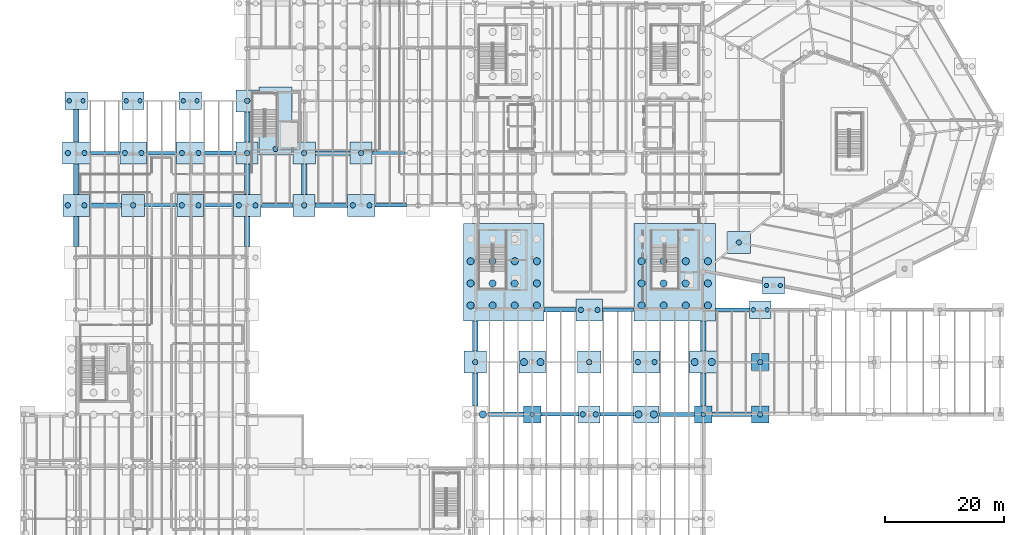
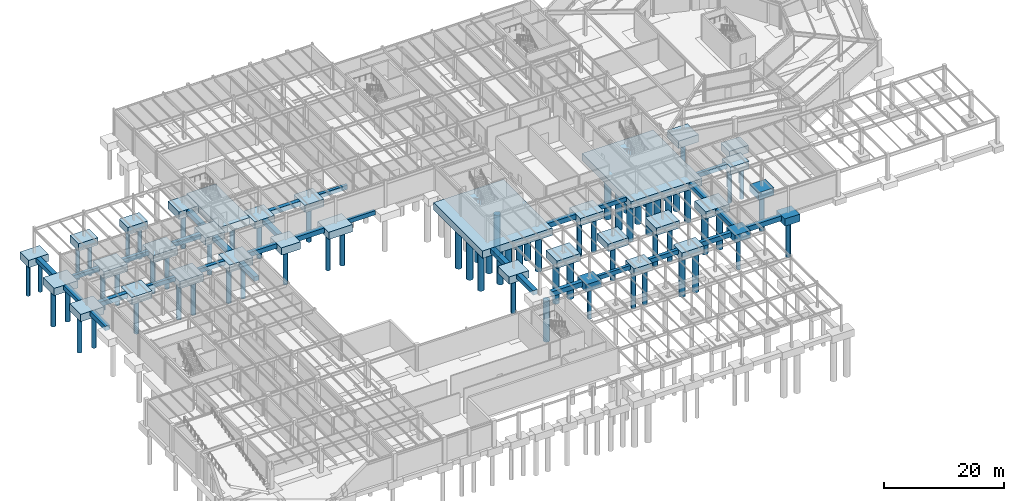
# One storey, part 3 of 48: 75 piles, 64 footings.
"""IFC4 building model written with IfcOpenShell, lengths in metres."""

from ifc_helpers import new_model, si_unit, direction, frame, origin, origin_2d, place, context, subcontext, project, spatial, rectangle, circle, extrude, material, material_profile, profile_set, type_object, element, save


model = new_model("IFC4")

# Units and contexts
model_context = context("Model", 3, precision=1e-05, world=origin(), true_north=direction((0.0, 1.0)))
body_context = subcontext(model_context, "Body", "Model", "MODEL_VIEW")
ifc_project = project(units=[si_unit("LENGTHUNIT", "METRE"), si_unit("AREAUNIT", "SQUARE_METRE"), si_unit("VOLUMEUNIT", "CUBIC_METRE"), si_unit("PLANEANGLEUNIT", "RADIAN"), si_unit("MASSUNIT", "GRAM", prefix="KILO")], contexts=[model_context])

# Site, building, storey
site_placement = place(None, origin())
site = spatial("IfcSite", under=ifc_project, at=site_placement, CompositionType="ELEMENT")
building_placement = place(site_placement, origin())
building = spatial("IfcBuilding", under=site, at=building_placement, Name="Sarnbrook Museum", CompositionType="ELEMENT")
storey_placement = place(building_placement, frame((0.0, 0.0, -5.39990234375)))
storey = spatial("IfcBuildingStorey", under=building, at=storey_placement, Name="B1", CompositionType="ELEMENT", Elevation=-5.39990234375)

# Piles
ifc_material_1 = material(Name="Concrete N50 (AS 3600, f'c = 50 MPa)", Category="concrete")
ifc_material_profile_1 = material_profile(ifc_material_1, circle(Radius=0.375, at=origin_2d()), Name="BORED PILE D750")
ifc_profile_set_1 = profile_set([ifc_material_profile_1], Name="Concrete N50 (AS 3600, f'c = 50 MPa)")
pile_type_1 = type_object("IfcPileType", Name="BoredPile_P1", PredefinedType="BORED", material=ifc_profile_set_1)
for number, where, z_axis, x_axis, name in (
    (1, (12.4375, 92.0, -1.400146484375), (0.0, 0.0, -1.0), (1.0, 0.0, 0.0), "Bored Pile P1-0036"),
    (2, (14.762451171875, 92.0, -1.400146484375), (0.0, 0.0, -1.0), (1.0, 0.0, 0.0), "Bored Pile P1-0037"),
    (3, (22.03759765625, 92.0, -1.400146484375), (0.0, 0.0, -1.0), (1.0, 0.0, 0.0), "Bored Pile P1-0049"),
    (4, (24.362548828125, 92.0, -1.400146484375), (0.0, 0.0, -1.0), (1.0, 0.0, 0.0), "Bored Pile P1-0050"),
    (5, (31.637451171875, 92.0, -1.400146484375), (0.0, 0.0, -1.0), (1.0, 0.0, 0.0), "Bored Pile P1-0066"),
    (6, (33.96240234375, 92.0, -1.400146484375), (0.0, 0.0, -1.0), (1.0, 0.0, 0.0), "Bored Pile P1-0067"),
    (7, (90.39990234375, 39.199951171875, -1.400146484375), (0.0, 0.0, -1.0), (1.0, 0.0, 0.0), "Bored Pile P1-0205"),
    (8, (119.199951171875, 39.199951171875, -1.400146484375), (0.0, 0.0, -1.0), (1.0, 0.0, 0.0), "Bored Pile P1-0281"),
    (9, (127.637451171875, 56.800048828125, -1.400146484375), (0.0, 0.0, -1.0), (1.0, 0.0, 0.0), "Bored Pile P1-0289"),
    (10, (129.96240234375, 56.800048828125, -1.400146484375), (0.0, 0.0, -1.0), (1.0, 0.0, 0.0), "Bored Pile P1-0290"),
    (11, (129.83740234375, 60.89990234375, -1.400146484375), (0.0, 0.0, -1.0), (1.0, 0.0, 0.0), "Bored Pile P1-0291"),
    (12, (132.16259765625, 60.89990234375, -1.400146484375), (0.0, 0.0, -1.0), (1.0, 0.0, 0.0), "Bored Pile P1-0292"),
):
    element("IfcPile", number, at=place(storey_placement, frame(where, z_axis=z_axis, x_axis=x_axis)), inside=storey, type_object=pile_type_1, Name=name, PredefinedType="BORED", context=body_context, shape_type="SweptSolid", body=[
        extrude(circle(Radius=0.375, at=origin_2d()), origin(), (0.0, 0.0, 1.0), 6.800048828125),
    ])
ifc_material_profile_2 = material_profile(ifc_material_1, circle(Radius=0.449951171875, at=origin_2d()), Name="BORED PILE D900")
ifc_profile_set_2 = profile_set([ifc_material_profile_2], Name="Concrete N50 (AS 3600, f'c = 50 MPa)")
pile_type_2 = type_object("IfcPileType", Name="BoredPile_P2", PredefinedType="BORED", material=ifc_profile_set_2)
for number, where, z_axis, x_axis, name in (
    (13, (12.205078125, 74.39990234375, -1.400146484375), (0.0, 0.0, -1.0), (1.0, 0.0, 0.0), "Bored Pile P2-0026"),
    (14, (14.9951171875, 74.39990234375, -1.400146484375), (0.0, 0.0, -1.0), (1.0, 0.0, 0.0), "Bored Pile P2-0027"),
    (15, (12.205078125, 83.199951171875, -1.400146484375), (0.0, 0.0, -1.0), (1.0, 0.0, 0.0), "Bored Pile P2-0028"),
    (16, (14.9951171875, 83.199951171875, -1.400146484375), (0.0, 0.0, -1.0), (1.0, 0.0, 0.0), "Bored Pile P2-0029"),
    (17, (23.199951171875, 74.39990234375, -1.400146484375), (0.0, 0.0, -1.0), (1.0, 0.0, 0.0), "Bored Pile P2-0040"),
    (18, (21.804931640625, 83.199951171875, -1.400146484375), (0.0, 0.0, -1.0), (1.0, 0.0, 0.0), "Bored Pile P2-0041"),
    (19, (24.594970703125, 83.199951171875, -1.400146484375), (0.0, 0.0, -1.0), (1.0, 0.0, 0.0), "Bored Pile P2-0042"),
    (20, (31.405029296875, 74.39990234375, -1.400146484375), (0.0, 0.0, -1.0), (1.0, 0.0, 0.0), "Bored Pile P2-0056"),
    (21, (34.195068359375, 74.39990234375, -1.400146484375), (0.0, 0.0, -1.0), (1.0, 0.0, 0.0), "Bored Pile P2-0057"),
    (22, (31.405029296875, 83.199951171875, -1.400146484375), (0.0, 0.0, -1.0), (1.0, 0.0, 0.0), "Bored Pile P2-0058"),
    (23, (34.195068359375, 83.199951171875, -1.400146484375), (0.0, 0.0, -1.0), (1.0, 0.0, 0.0), "Bored Pile P2-0059"),
    (24, (41.0048828125, 74.39990234375, -1.400146484375), (0.0, 0.0, -1.0), (1.0, 0.0, 0.0), "Bored Pile P2-0073"),
    (25, (43.794921875, 74.39990234375, -1.400146484375), (0.0, 0.0, -1.0), (1.0, 0.0, 0.0), "Bored Pile P2-0074"),
    (26, (42.39990234375, 83.199951171875, -1.400146484375), (0.0, 0.0, -1.0), (1.0, 0.0, 0.0), "Bored Pile P2-0075"),
    (27, (42.39990234375, 92.0, -1.400146484375), (0.0, 0.0, -1.0), (1.0, 0.0, 0.0), "Bored Pile P2-0076"),
    (28, (52.0, 74.39990234375, -1.400146484375), (0.0, 0.0, -1.0), (1.0, 0.0, 0.0), "Bored Pile P2-0090"),
    (29, (52.0, 83.199951171875, -1.400146484375), (0.0, 0.0, -1.0), (1.0, 0.0, 0.0), "Bored Pile P2-0091"),
    (30, (60.205078125, 74.39990234375, -1.400146484375), (0.0, 0.0, -1.0), (1.0, 0.0, 0.0), "Bored Pile P2-0117"),
    (31, (62.9951171875, 74.39990234375, -1.400146484375), (0.0, 0.0, -1.0), (1.0, 0.0, 0.0), "Bored Pile P2-0118"),
    (32, (61.60009765625, 83.199951171875, -1.400146484375), (0.0, 0.0, -1.0), (1.0, 0.0, 0.0), "Bored Pile P2-0119"),
    (33, (80.800048828125, 48.0, -1.400146484375), (0.0, 0.0, -1.0), (1.0, 0.0, 0.0), "Bored Pile P2-0144"),
    (34, (100.0, 48.0, -1.400146484375), (0.0, 0.0, -1.0), (1.0, 0.0, 0.0), "Bored Pile P2-0206"),
    (35, (98.60498046875, 56.800048828125, -1.400146484375), (0.0, 0.0, -1.0), (1.0, 0.0, 0.0), "Bored Pile P2-0207"),
    (36, (101.39501953125, 56.800048828125, -1.400146484375), (0.0, 0.0, -1.0), (1.0, 0.0, 0.0), "Bored Pile P2-0208"),
    (37, (98.909912109375, 39.199951171875, -1.400146484375), (0.0, 0.0, -1.0), (1.0, 0.0, 0.0), "Bored Pile P2-0220"),
    (38, (101.090087890625, 39.199951171875, -1.400146484375), (0.0, 0.0, -1.0), (1.0, 0.0, 0.0), "Bored Pile P2-0221"),
    (39, (108.205078125, 48.0, -1.400146484375), (0.0, 0.0, -1.0), (1.0, 0.0, 0.0), "Bored Pile P2-0222"),
    (40, (110.9951171875, 48.0, -1.400146484375), (0.0, 0.0, -1.0), (1.0, 0.0, 0.0), "Bored Pile P2-0223"),
    (41, (125.199951171875, 68.14306640625, -1.400146484375), (0.0, 0.0, -1.0), (1.0, 0.0, 0.0), "Bored Pile P2-0282"),
    (42, (128.800048828125, 39.199951171875, -1.400146484375), (0.0, 0.0, -1.0), (1.0, 0.0, 0.0), "Bored Pile P2-0287"),
    (43, (128.800048828125, 48.0, -1.400146484375), (0.0, 0.0, -1.0), (1.0, 0.0, 0.0), "Bored Pile P2-0288"),
    (44, (47.175048828125, 83.89990234375, -1.400146484375), (0.0, 0.0, -1.0), (1.0, 0.0, 0.0), "Bored Pile P2-0326"),
):
    element("IfcPile", number, at=place(storey_placement, frame(where, z_axis=z_axis, x_axis=x_axis)), inside=storey, type_object=pile_type_2, Name=name, PredefinedType="BORED", context=body_context, shape_type="SweptSolid", body=[
        extrude(circle(Radius=0.449951171875, at=origin_2d()), origin(), (0.0, 0.0, 1.0), 7.60009765625),
    ])
ifc_material_profile_3 = material_profile(ifc_material_1, circle(Radius=0.60009765625, at=origin_2d()), Name="BORED PILE D1200")
ifc_profile_set_3 = profile_set([ifc_material_profile_3], Name="Concrete N50 (AS 3600, f'c = 50 MPa)")
pile_type_3 = type_object("IfcPileType", Name="BoredPile_P3", PredefinedType="BORED", material=ifc_profile_set_3)
for number, where, z_axis, x_axis, name in (
    (45, (80.02001953125, 57.544921875, -1.400146484375), (0.0, 0.0, -1.0), (1.0, 0.0, 0.0), "Bored Pile P3-0145"),
    (46, (80.02001953125, 61.264892578125, -1.400146484375), (0.0, 0.0, -1.0), (1.0, 0.0, 0.0), "Bored Pile P3-0146"),
    (47, (80.02001953125, 64.985107421875, -1.400146484375), (0.0, 0.0, -1.0), (1.0, 0.0, 0.0), "Bored Pile P3-0147"),
    (48, (83.739990234375, 57.544921875, -1.400146484375), (0.0, 0.0, -1.0), (1.0, 0.0, 0.0), "Bored Pile P3-0149"),
    (49, (83.739990234375, 61.264892578125, -1.400146484375), (0.0, 0.0, -1.0), (1.0, 0.0, 0.0), "Bored Pile P3-0150"),
    (50, (83.739990234375, 64.985107421875, -1.400146484375), (0.0, 0.0, -1.0), (1.0, 0.0, 0.0), "Bored Pile P3-0151"),
    (51, (87.4599609375, 57.544921875, -1.400146484375), (0.0, 0.0, -1.0), (1.0, 0.0, 0.0), "Bored Pile P3-0153"),
    (52, (87.4599609375, 61.264892578125, -1.400146484375), (0.0, 0.0, -1.0), (1.0, 0.0, 0.0), "Bored Pile P3-0154"),
    (53, (87.4599609375, 64.985107421875, -1.400146484375), (0.0, 0.0, -1.0), (1.0, 0.0, 0.0), "Bored Pile P3-0155"),
    (54, (91.179931640625, 57.544921875, -1.400146484375), (0.0, 0.0, -1.0), (1.0, 0.0, 0.0), "Bored Pile P3-0157"),
    (55, (91.179931640625, 61.264892578125, -1.400146484375), (0.0, 0.0, -1.0), (1.0, 0.0, 0.0), "Bored Pile P3-0158"),
    (56, (91.179931640625, 64.985107421875, -1.400146484375), (0.0, 0.0, -1.0), (1.0, 0.0, 0.0), "Bored Pile P3-0159"),
    (57, (82.090087890625, 39.199951171875, -1.400146484375), (0.0, 0.0, -1.0), (1.0, 0.0, 0.0), "Bored Pile P3-0191"),
    (58, (89.010009765625, 48.0, -1.400146484375), (0.0, 0.0, -1.0), (1.0, 0.0, 0.0), "Bored Pile P3-0192"),
    (59, (91.7900390625, 48.0, -1.400146484375), (0.0, 0.0, -1.0), (1.0, 0.0, 0.0), "Bored Pile P3-0193"),
    (60, (108.820068359375, 57.544921875, -1.400146484375), (0.0, 0.0, -1.0), (1.0, 0.0, 0.0), "Bored Pile P3-0224"),
    (61, (108.820068359375, 61.264892578125, -1.400146484375), (0.0, 0.0, -1.0), (1.0, 0.0, 0.0), "Bored Pile P3-0225"),
    (62, (108.820068359375, 64.985107421875, -1.400146484375), (0.0, 0.0, -1.0), (1.0, 0.0, 0.0), "Bored Pile P3-0226"),
    (63, (112.5400390625, 57.544921875, -1.400146484375), (0.0, 0.0, -1.0), (1.0, 0.0, 0.0), "Bored Pile P3-0228"),
    (64, (112.5400390625, 61.264892578125, -1.400146484375), (0.0, 0.0, -1.0), (1.0, 0.0, 0.0), "Bored Pile P3-0229"),
    (65, (112.5400390625, 64.985107421875, -1.400146484375), (0.0, 0.0, -1.0), (1.0, 0.0, 0.0), "Bored Pile P3-0230"),
    (66, (116.260009765625, 57.544921875, -1.400146484375), (0.0, 0.0, -1.0), (1.0, 0.0, 0.0), "Bored Pile P3-0232"),
    (67, (116.260009765625, 61.264892578125, -1.400146484375), (0.0, 0.0, -1.0), (1.0, 0.0, 0.0), "Bored Pile P3-0233"),
    (68, (116.260009765625, 64.985107421875, -1.400146484375), (0.0, 0.0, -1.0), (1.0, 0.0, 0.0), "Bored Pile P3-0234"),
    (69, (119.97998046875, 57.544921875, -1.400146484375), (0.0, 0.0, -1.0), (1.0, 0.0, 0.0), "Bored Pile P3-0236"),
    (70, (119.97998046875, 61.264892578125, -1.400146484375), (0.0, 0.0, -1.0), (1.0, 0.0, 0.0), "Bored Pile P3-0237"),
    (71, (119.97998046875, 64.985107421875, -1.400146484375), (0.0, 0.0, -1.0), (1.0, 0.0, 0.0), "Bored Pile P3-0238"),
    (72, (108.31005859375, 39.199951171875, -1.400146484375), (0.0, 0.0, -1.0), (1.0, 0.0, 0.0), "Bored Pile P3-0268"),
    (73, (110.889892578125, 39.199951171875, -1.400146484375), (0.0, 0.0, -1.0), (1.0, 0.0, 0.0), "Bored Pile P3-0269"),
    (74, (117.760009765625, 48.0, -1.400146484375), (0.0, 0.0, -1.0), (1.0, 0.0, 0.0), "Bored Pile P3-0270"),
    (75, (120.639892578125, 48.0, -1.400146484375), (0.0, 0.0, -1.0), (1.0, 0.0, 0.0), "Bored Pile P3-0271"),
):
    element("IfcPile", number, at=place(storey_placement, frame(where, z_axis=z_axis, x_axis=x_axis)), inside=storey, type_object=pile_type_3, Name=name, PredefinedType="BORED", context=body_context, shape_type="SweptSolid", body=[
        extrude(circle(Radius=0.60009765625, at=origin_2d()), origin(), (0.0, 0.0, 1.0), 8.39990234375),
    ])

# Footings
ifc_material_2 = material(Name="Concrete N40 (AS 3600, f'c = 40 MPa)", Category="concrete")
footing_type_1 = type_object("IfcFootingType", Name="GroundBeam_GB1", PredefinedType="FOOTING_BEAM", material=ifc_material_2)
footing_1_placement = place(storey_placement, frame((95.050048828125, 39.199951171875, -0.85009765625), z_axis=(0.0, 0.0, 1.0), x_axis=(1.0, 0.0, 0.0)))
element("IfcFooting", 76, at=footing_1_placement, inside=storey, type_object=footing_type_1, Name="Ground Tie Beam GB-005", PredefinedType="FOOTING_BEAM", context=body_context, shape_type="SweptSolid", body=[
    extrude(rectangle(XDim=6.300048828125, YDim=0.550048828125, at=origin_2d()), origin(), (0.0, 0.0, 1.0), 0.85009765625),
])
footing_2_placement = place(storey_placement, frame((104.89990234375, 56.800048828125, -0.85009765625), z_axis=(0.0, 0.0, 1.0), x_axis=(1.0, 0.0, 0.0)))
element("IfcFooting", 77, at=footing_2_placement, inside=storey, type_object=footing_type_1, Name="Ground Tie Beam GB-017", PredefinedType="FOOTING_BEAM", context=body_context, shape_type="SweptSolid", body=[
    extrude(rectangle(XDim=5.300048828125, YDim=0.550048828125, at=origin_2d()), origin(), (0.0, 0.0, 1.0), 0.85009765625),
])
footing_3_placement = place(storey_placement, frame((27.85009765625, 74.39990234375, -0.85009765625), z_axis=(0.0, 0.0, 1.0), x_axis=(1.0, 0.0, 0.0)))
element("IfcFooting", 78, at=footing_3_placement, inside=storey, type_object=footing_type_1, Name="Ground Tie Beam GB-025", PredefinedType="FOOTING_BEAM", context=body_context, shape_type="SweptSolid", body=[
    extrude(rectangle(XDim=5.39990234375, YDim=0.550048828125, at=origin_2d()), origin(), (0.0, 0.0, 1.0), 0.85009765625),
])
footing_4_placement = place(storey_placement, frame((66.574951171875, 74.39990234375, -0.85009765625), z_axis=(0.0, 0.0, 1.0), x_axis=(1.0, 0.0, 0.0)))
element("IfcFooting", 79, at=footing_4_placement, inside=storey, type_object=footing_type_1, Name="Ground Tie Beam GB-029", PredefinedType="FOOTING_BEAM", context=body_context, shape_type="SweptSolid", body=[
    extrude(rectangle(XDim=5.35009765625, YDim=0.550048828125, at=origin_2d()), origin(), (0.0, 0.0, 1.0), 0.85009765625),
])
footing_5_placement = place(storey_placement, frame((18.425048828125, 83.199951171875, -0.85009765625), z_axis=(0.0, 0.0, 1.0), x_axis=(1.0, 0.0, 0.0)))
element("IfcFooting", 80, at=footing_5_placement, inside=storey, type_object=footing_type_1, Name="Ground Tie Beam GB-037", PredefinedType="FOOTING_BEAM", context=body_context, shape_type="SweptSolid", body=[
    extrude(rectangle(XDim=5.050048828125, YDim=0.550048828125, at=origin_2d()), origin(), (0.0, 0.0, 1.0), 0.85009765625),
])
footing_6_placement = place(storey_placement, frame((66.199951171875, 83.199951171875, -0.85009765625), z_axis=(0.0, 0.0, 1.0), x_axis=(1.0, 0.0, 0.0)))
element("IfcFooting", 81, at=footing_6_placement, inside=storey, type_object=footing_type_1, Name="Ground Tie Beam GB-041", PredefinedType="FOOTING_BEAM", context=body_context, shape_type="SweptSolid", body=[
    extrude(rectangle(XDim=5.5, YDim=0.550048828125, at=origin_2d()), origin(), (0.0, 0.0, 1.0), 0.85009765625),
])
footing_type_2 = type_object("IfcFootingType", Name="GroundBeam_GB2", PredefinedType="FOOTING_BEAM", material=ifc_material_2)
footing_7_placement = place(storey_placement, frame((104.625, 39.199951171875, -0.900146484375), z_axis=(0.0, 0.0, 1.0), x_axis=(1.0, 0.0, 0.0)))
element("IfcFooting", 82, at=footing_7_placement, inside=storey, type_object=footing_type_2, Name="Ground Tie Beam GB-006", PredefinedType="FOOTING_BEAM", context=body_context, shape_type="SweptSolid", body=[
    extrude(rectangle(XDim=5.64990234375, YDim=0.60009765625, at=origin_2d()), origin(), (0.0, 0.0, 1.0), 0.89990234375),
])
footing_8_placement = place(storey_placement, frame((124.125, 56.800048828125, -0.900146484375), z_axis=(0.0, 0.0, 1.0), x_axis=(1.0, 0.0, 0.0)))
element("IfcFooting", 83, at=footing_8_placement, inside=storey, type_object=footing_type_2, Name="Ground Tie Beam GB-018", PredefinedType="FOOTING_BEAM", context=body_context, shape_type="SweptSolid", body=[
    extrude(rectangle(XDim=5.75, YDim=0.60009765625, at=origin_2d()), origin(), (0.0, 0.0, 1.0), 0.89990234375),
])
for number, where, z_axis, x_axis, name in (
    (84, (37.574951171875, 74.39990234375, -0.900146484375), (0.0, 0.0, 1.0), (1.0, 0.0, 0.0), "Ground Tie Beam GB-026"),
    (85, (27.97509765625, 83.199951171875, -0.900146484375), (0.0, 0.0, 1.0), (1.0, 0.0, 0.0), "Ground Tie Beam GB-038"),
):
    element("IfcFooting", number, at=place(storey_placement, frame(where, z_axis=z_axis, x_axis=x_axis)), inside=storey, type_object=footing_type_2, Name=name, PredefinedType="FOOTING_BEAM", context=body_context, shape_type="SweptSolid", body=[
        extrude(rectangle(XDim=5.050048828125, YDim=0.60009765625, at=origin_2d()), origin(), (0.0, 0.0, 1.0), 0.89990234375),
    ])
footing_type_3 = type_object("IfcFootingType", Name="GroundBeam_GB3", PredefinedType="FOOTING_BEAM", material=ifc_material_2)
footing_9_placement = place(storey_placement, frame((114.72509765625, 39.199951171875, -0.9501953125), z_axis=(0.0, 0.0, 1.0), x_axis=(1.0, 0.0, 0.0)))
element("IfcFooting", 86, at=footing_9_placement, inside=storey, type_object=footing_type_3, Name="Ground Tie Beam GB-007", PredefinedType="FOOTING_BEAM", context=body_context, shape_type="SweptSolid", body=[
    extrude(rectangle(XDim=5.949951171875, YDim=0.699951171875, at=origin_2d()), origin(), (0.0, 0.0, 1.0), 0.949951171875),
])
for number, where, z_axis, x_axis, name in (
    (87, (47.425048828125, 74.39990234375, -0.9501953125), (0.0, 0.0, 1.0), (1.0, 0.0, 0.0), "Ground Tie Beam GB-027"),
    (88, (37.824951171875, 83.199951171875, -0.9501953125), (0.0, 0.0, 1.0), (1.0, 0.0, 0.0), "Ground Tie Beam GB-039"),
):
    element("IfcFooting", number, at=place(storey_placement, frame(where, z_axis=z_axis, x_axis=x_axis)), inside=storey, type_object=footing_type_3, Name=name, PredefinedType="FOOTING_BEAM", context=body_context, shape_type="SweptSolid", body=[
        extrude(rectangle(XDim=5.449951171875, YDim=0.699951171875, at=origin_2d()), origin(), (0.0, 0.0, 1.0), 0.949951171875),
    ])
footing_type_4 = type_object("IfcFootingType", Name="GroundBeam_GB4", PredefinedType="FOOTING_BEAM", material=ifc_material_2)
footing_10_placement = place(storey_placement, frame((85.925048828125, 39.199951171875, -1.0), z_axis=(0.0, 0.0, 1.0), x_axis=(1.0, 0.0, 0.0)))
element("IfcFooting", 89, at=footing_10_placement, inside=storey, type_object=footing_type_4, Name="Ground Tie Beam GB-004", PredefinedType="FOOTING_BEAM", context=body_context, shape_type="SweptSolid", body=[
    extrude(rectangle(XDim=5.949951171875, YDim=0.75, at=origin_2d()), origin(), (0.0, 0.0, 1.0), 1.0),
])
footing_11_placement = place(storey_placement, frame((124.02490234375, 39.199951171875, -1.0), z_axis=(0.0, 0.0, 1.0), x_axis=(1.0, 0.0, 0.0)))
element("IfcFooting", 90, at=footing_11_placement, inside=storey, type_object=footing_type_4, Name="Ground Tie Beam GB-008", PredefinedType="FOOTING_BEAM", context=body_context, shape_type="SweptSolid", body=[
    extrude(rectangle(XDim=6.64990234375, YDim=0.75, at=origin_2d()), origin(), (0.0, 0.0, 1.0), 1.0),
])
for number, where, z_axis, x_axis, name in (
    (91, (95.050048828125, 56.800048828125, -1.0), (0.0, 0.0, 1.0), (1.0, 0.0, 0.0), "Ground Tie Beam GB-016"),
    (92, (18.550048828125, 74.39990234375, -1.0), (0.0, 0.0, 1.0), (1.0, 0.0, 0.0), "Ground Tie Beam GB-024"),
):
    element("IfcFooting", number, at=place(storey_placement, frame(where, z_axis=z_axis, x_axis=x_axis)), inside=storey, type_object=footing_type_4, Name=name, PredefinedType="FOOTING_BEAM", context=body_context, shape_type="SweptSolid", body=[
        extrude(rectangle(XDim=5.39990234375, YDim=0.75, at=origin_2d()), origin(), (0.0, 0.0, 1.0), 1.0),
    ])
footing_12_placement = place(storey_placement, frame((56.574951171875, 74.39990234375, -1.0), z_axis=(0.0, 0.0, 1.0), x_axis=(1.0, 0.0, 0.0)))
element("IfcFooting", 93, at=footing_12_placement, inside=storey, type_object=footing_type_4, Name="Ground Tie Beam GB-028", PredefinedType="FOOTING_BEAM", context=body_context, shape_type="SweptSolid", body=[
    extrude(rectangle(XDim=5.449951171875, YDim=0.75, at=origin_2d()), origin(), (0.0, 0.0, 1.0), 1.0),
])
footing_13_placement = place(storey_placement, frame((56.824951171875, 83.199951171875, -1.0), z_axis=(0.0, 0.0, 1.0), x_axis=(1.0, 0.0, 0.0)))
element("IfcFooting", 94, at=footing_13_placement, inside=storey, type_object=footing_type_4, Name="Ground Tie Beam GB-040", PredefinedType="FOOTING_BEAM", context=body_context, shape_type="SweptSolid", body=[
    extrude(rectangle(XDim=5.85009765625, YDim=0.75, at=origin_2d()), origin(), (0.0, 0.0, 1.0), 1.0),
])
footing_type_5 = type_object("IfcFootingType", Name="PileCap_PC07", PredefinedType="PILE_CAP", material=ifc_material_2)
for number, where, z_axis, x_axis, name in (
    (95, (42.39990234375, 92.0, -1.5), (0.0, 0.0, 1.0), (1.0, 0.0, 0.0), "Pile Cap PC-042"),
    (96, (52.0, 83.199951171875, -1.5), (0.0, 0.0, 1.0), (1.0, 0.0, 0.0), "Pile Cap PC-052"),
    (97, (80.800048828125, 48.0, -1.5), (0.0, 0.0, 1.0), (1.0, 0.0, 0.0), "Pile Cap PC-077"),
):
    element("IfcFooting", number, at=place(storey_placement, frame(where, z_axis=z_axis, x_axis=x_axis)), inside=storey, type_object=footing_type_5, Name=name, PredefinedType="PILE_CAP", context=body_context, shape_type="SweptSolid", body=[
        extrude(rectangle(XDim=3.800048828125, YDim=3.699951171875, at=origin_2d()), origin(), (0.0, 0.0, 1.0), 1.5),
    ])
footing_type_6 = type_object("IfcFootingType", Name="PileCap_PC08", PredefinedType="PILE_CAP", material=ifc_material_2)
for number, where, z_axis, x_axis, name in (
    (98, (23.199951171875, 74.39990234375, -1.5), (0.0, 0.0, 1.0), (1.0, 0.0, 0.0), "Pile Cap PC-018"),
    (99, (100.0, 48.0, -1.5), (0.0, 0.0, 1.0), (1.0, 0.0, 0.0), "Pile Cap PC-098"),
    (100, (125.199951171875, 68.14306640625, -1.5), (0.0, 0.0, 1.0), (1.0, 0.0, 0.0), "Pile Cap PC-127"),
):
    element("IfcFooting", number, at=place(storey_placement, frame(where, z_axis=z_axis, x_axis=x_axis)), inside=storey, type_object=footing_type_6, Name=name, PredefinedType="PILE_CAP", context=body_context, shape_type="SweptSolid", body=[
        extrude(rectangle(XDim=3.89990234375, YDim=3.699951171875, at=origin_2d()), origin(), (0.0, 0.0, 1.0), 1.5),
    ])
footing_type_7 = type_object("IfcFootingType", Name="PileCap_PC09", PredefinedType="PILE_CAP", material=ifc_material_2)
for number, where, z_axis, x_axis, name in (
    (101, (13.60009765625, 74.39990234375, -1.5), (0.0, 0.0, 1.0), (1.0, 0.0, 0.0), "Pile Cap PC-009"),
    (102, (23.199951171875, 83.199951171875, -1.5), (0.0, 0.0, 1.0), (1.0, 0.0, 0.0), "Pile Cap PC-019"),
    (103, (32.800048828125, 74.39990234375, -1.5), (0.0, 0.0, 1.0), (1.0, 0.0, 0.0), "Pile Cap PC-029"),
    (104, (90.39990234375, 48.0, -1.5), (0.0, 0.0, 1.0), (1.0, 0.0, 0.0), "Pile Cap PC-089"),
    (105, (100.0, 56.800048828125, -1.5), (0.0, 0.0, 1.0), (1.0, 0.0, 0.0), "Pile Cap PC-099"),
    (106, (109.60009765625, 48.0, -1.5), (0.0, 0.0, 1.0), (1.0, 0.0, 0.0), "Pile Cap PC-109"),
):
    element("IfcFooting", number, at=place(storey_placement, frame(where, z_axis=z_axis, x_axis=x_axis)), inside=storey, type_object=footing_type_7, Name=name, PredefinedType="PILE_CAP", context=body_context, shape_type="SweptSolid", body=[
        extrude(rectangle(XDim=4.5, YDim=3.699951171875, at=origin_2d()), origin(), (0.0, 0.0, 1.0), 1.5),
    ])
footing_type_8 = type_object("IfcFootingType", Name="PileCap_PC10", PredefinedType="PILE_CAP", material=ifc_material_2)
for number, where, z_axis, x_axis, name in (
    (107, (13.60009765625, 83.199951171875, -1.5), (0.0, 0.0, 1.0), (1.0, 0.0, 0.0), "Pile Cap PC-010"),
    (108, (32.800048828125, 83.199951171875, -1.5), (0.0, 0.0, 1.0), (1.0, 0.0, 0.0), "Pile Cap PC-030"),
    (109, (42.39990234375, 74.39990234375, -1.5), (0.0, 0.0, 1.0), (1.0, 0.0, 0.0), "Pile Cap PC-040"),
    (110, (61.60009765625, 74.39990234375, -1.5), (0.0, 0.0, 1.0), (1.0, 0.0, 0.0), "Pile Cap PC-060"),
    (111, (119.199951171875, 48.0, -1.5), (0.0, 0.0, 1.0), (1.0, 0.0, 0.0), "Pile Cap PC-119"),
):
    element("IfcFooting", number, at=place(storey_placement, frame(where, z_axis=z_axis, x_axis=x_axis)), inside=storey, type_object=footing_type_8, Name=name, PredefinedType="PILE_CAP", context=body_context, shape_type="SweptSolid", body=[
        extrude(rectangle(XDim=4.60009765625, YDim=3.699951171875, at=origin_2d()), origin(), (0.0, 0.0, 1.0), 1.5),
    ])
footing_type_9 = type_object("IfcFootingType", Name="PileCap_PC12", PredefinedType="PILE_CAP", material=ifc_material_2)
for number, where, z_axis, x_axis, name in (
    (112, (90.39990234375, 39.199951171875, -1.5), (0.0, 0.0, 1.0), (1.0, 0.0, 0.0), "Pile Cap PC-097"),
    (113, (119.199951171875, 39.199951171875, -1.5), (0.0, 0.0, 1.0), (1.0, 0.0, 0.0), "Pile Cap PC-126"),
    (114, (128.800048828125, 48.0, -1.5), (0.0, 0.0, 1.0), (1.0, 0.0, 0.0), "Pile Cap PC-131"),
):
    element("IfcFooting", number, at=place(storey_placement, frame(where, z_axis=z_axis, x_axis=x_axis)), inside=storey, type_object=footing_type_9, Name=name, PredefinedType="PILE_CAP", context=body_context, shape_type="SweptSolid", body=[
        extrude(rectangle(XDim=3.0, YDim=2.89990234375, at=origin_2d()), origin(), (0.0, 0.0, 1.0), 1.5),
    ])
footing_type_10 = type_object("IfcFootingType", Name="PileCap_PC13", PredefinedType="PILE_CAP", material=ifc_material_2)
for number, where, z_axis, x_axis, name in (
    (115, (100.0, 39.199951171875, -1.5), (0.0, 0.0, 1.0), (1.0, 0.0, 0.0), "Pile Cap PC-108"),
    (116, (128.800048828125, 56.800048828125, -1.5), (0.0, 0.0, 1.0), (1.0, 0.0, 0.0), "Pile Cap PC-132"),
):
    element("IfcFooting", number, at=place(storey_placement, frame(where, z_axis=z_axis, x_axis=x_axis)), inside=storey, type_object=footing_type_10, Name=name, PredefinedType="PILE_CAP", context=body_context, shape_type="SweptSolid", body=[
        extrude(rectangle(XDim=3.60009765625, YDim=2.89990234375, at=origin_2d()), origin(), (0.0, 0.0, 1.0), 1.5),
    ])
footing_type_11 = type_object("IfcFootingType", Name="PileCap_PC14", PredefinedType="PILE_CAP", material=ifc_material_2)
for number, where, z_axis, x_axis, name in (
    (117, (23.199951171875, 92.0, -1.5), (0.0, 0.0, 1.0), (1.0, 0.0, 0.0), "Pile Cap PC-024"),
    (118, (131.0, 60.89990234375, -1.5), (0.0, 0.0, 1.0), (1.0, 0.0, 0.0), "Pile Cap PC-133"),
):
    element("IfcFooting", number, at=place(storey_placement, frame(where, z_axis=z_axis, x_axis=x_axis)), inside=storey, type_object=footing_type_11, Name=name, PredefinedType="PILE_CAP", context=body_context, shape_type="SweptSolid", body=[
        extrude(rectangle(XDim=3.699951171875, YDim=2.89990234375, at=origin_2d()), origin(), (0.0, 0.0, 1.0), 1.5),
    ])
footing_type_12 = type_object("IfcFootingType", Name="PileCap_PC15", PredefinedType="PILE_CAP", material=ifc_material_2)
for number, where, z_axis, x_axis, name in (
    (119, (13.60009765625, 92.0, -1.5), (0.0, 0.0, 1.0), (1.0, 0.0, 0.0), "Pile Cap PC-015"),
    (120, (32.800048828125, 92.0, -1.5), (0.0, 0.0, 1.0), (1.0, 0.0, 0.0), "Pile Cap PC-035"),
):
    element("IfcFooting", number, at=place(storey_placement, frame(where, z_axis=z_axis, x_axis=x_axis)), inside=storey, type_object=footing_type_12, Name=name, PredefinedType="PILE_CAP", context=body_context, shape_type="SweptSolid", body=[
        extrude(rectangle(XDim=3.800048828125, YDim=2.89990234375, at=origin_2d()), origin(), (0.0, 0.0, 1.0), 1.5),
    ])
footing_type_13 = type_object("IfcFootingType", Name="PileCap_PC16", PredefinedType="PILE_CAP", material=ifc_material_2)
for number, where, z_axis, x_axis, name in (
    (121, (42.39990234375, 83.199951171875, -1.5), (0.0, 0.0, 1.0), (1.0, 0.0, 0.0), "Pile Cap PC-041"),
    (122, (52.0, 74.39990234375, -1.5), (0.0, 0.0, 1.0), (1.0, 0.0, 0.0), "Pile Cap PC-051"),
    (123, (61.60009765625, 83.199951171875, -1.5), (0.0, 0.0, 1.0), (1.0, 0.0, 0.0), "Pile Cap PC-061"),
):
    element("IfcFooting", number, at=place(storey_placement, frame(where, z_axis=z_axis, x_axis=x_axis)), inside=storey, type_object=footing_type_13, Name=name, PredefinedType="PILE_CAP", context=body_context, shape_type="SweptSolid", body=[
        extrude(rectangle(XDim=3.699951171875, YDim=3.699951171875, at=origin_2d()), origin(), (0.0, 0.0, 1.0), 1.5),
    ])
footing_type_14 = type_object("IfcFootingType", Name="PileCap_PC18", PredefinedType="PILE_CAP", material=ifc_material_2)
footing_14_placement = place(storey_placement, frame((128.800048828125, 39.199951171875, -1.5), z_axis=(0.0, 0.0, 1.0), x_axis=(1.0, 0.0, 0.0)))
element("IfcFooting", 124, at=footing_14_placement, inside=storey, type_object=footing_type_14, Name="Pile Cap PC-130", PredefinedType="PILE_CAP", context=body_context, shape_type="SweptSolid", body=[
    extrude(rectangle(XDim=2.89990234375, YDim=2.89990234375, at=origin_2d()), origin(), (0.0, 0.0, 1.0), 1.5),
])
footing_type_15 = type_object("IfcFootingType", Name="PileCap_PC29", PredefinedType="PILE_CAP", material=ifc_material_2)
footing_15_placement = place(storey_placement, frame((85.60009765625, 63.125, -1.5), z_axis=(0.0, 0.0, 1.0), x_axis=(1.0, 0.0, 0.0)))
element("IfcFooting", 125, at=footing_15_placement, inside=storey, type_object=footing_type_15, Name="Pile Cap PC-078", PredefinedType="PILE_CAP", context=body_context, shape_type="SweptSolid", body=[
    extrude(rectangle(XDim=13.5, YDim=16.35009765625, at=origin_2d()), origin(), (0.0, 0.0, 1.0), 1.5),
])
footing_type_16 = type_object("IfcFootingType", Name="PileCap_PC33", PredefinedType="PILE_CAP", material=ifc_material_2)
footing_16_placement = place(storey_placement, frame((109.60009765625, 39.199951171875, -1.5), z_axis=(0.0, 0.0, 1.0), x_axis=(1.0, 0.0, 0.0)))
element("IfcFooting", 126, at=footing_16_placement, inside=storey, type_object=footing_type_16, Name="Pile Cap PC-118", PredefinedType="PILE_CAP", context=body_context, shape_type="SweptSolid", body=[
    extrude(rectangle(XDim=4.300048828125, YDim=2.89990234375, at=origin_2d()), origin(), (0.0, 0.0, 1.0), 1.5),
])
footing_type_17 = type_object("IfcFootingType", Name="PileCap_PC34", PredefinedType="PILE_CAP", material=ifc_material_2)
footing_17_placement = place(storey_placement, frame((114.39990234375, 63.125, -1.5), z_axis=(0.0, 0.0, 1.0), x_axis=(1.0, 0.0, 0.0)))
element("IfcFooting", 127, at=footing_17_placement, inside=storey, type_object=footing_type_17, Name="Pile Cap PC-110", PredefinedType="PILE_CAP", context=body_context, shape_type="SweptSolid", body=[
    extrude(rectangle(XDim=13.699951171875, YDim=16.35009765625, at=origin_2d()), origin(), (0.0, 0.0, 1.0), 1.5),
])
footing_type_18 = type_object("IfcFootingType", Name="PileCap_PC38", PredefinedType="PILE_CAP", material=ifc_material_2)
footing_18_placement = place(storey_placement, frame((47.175048828125, 88.60009765625, -1.5), z_axis=(0.0, 0.0, 1.0), x_axis=(1.0, 0.0, 0.0)))
element("IfcFooting", 128, at=footing_18_placement, inside=storey, type_object=footing_type_18, Name="Pile Cap PC-CORE-C6-1", PredefinedType="PILE_CAP", context=body_context, shape_type="SweptSolid", body=[
    extrude(rectangle(XDim=5.6298828125, YDim=11.39990234375, at=origin_2d()), origin(), (0.0, 0.0, 1.0), 1.5),
])
footing_type_19 = type_object("IfcFootingType", Name="StripFooting_SF1", PredefinedType="STRIP_FOOTING", material=ifc_material_2)
for number, where, z_axis, x_axis, name in (
    (129, (13.60009765625, 70.0, -0.900146484375), (0.0, 0.0, 1.0), (1.0, 0.0, 0.0), "Strip Footing SF-050"),
    (130, (13.60009765625, 78.800048828125, -0.900146484375), (0.0, 0.0, 1.0), (1.0, 0.0, 0.0), "Strip Footing SF-051"),
):
    element("IfcFooting", number, at=place(storey_placement, frame(where, z_axis=z_axis, x_axis=x_axis)), inside=storey, type_object=footing_type_19, Name=name, PredefinedType="STRIP_FOOTING", context=body_context, shape_type="SweptSolid", body=[
        extrude(rectangle(XDim=0.89990234375, YDim=5.10009765625, at=origin_2d()), origin(), (0.0, 0.0, 1.0), 0.89990234375),
    ])
footing_19_placement = place(storey_placement, frame((13.60009765625, 87.800048828125, -0.900146484375), z_axis=(0.0, 0.0, 1.0), x_axis=(1.0, 0.0, 0.0)))
element("IfcFooting", 131, at=footing_19_placement, inside=storey, type_object=footing_type_19, Name="Strip Footing SF-052", PredefinedType="STRIP_FOOTING", context=body_context, shape_type="SweptSolid", body=[
    extrude(rectangle(XDim=0.89990234375, YDim=5.5, at=origin_2d()), origin(), (0.0, 0.0, 1.0), 0.89990234375),
])
for number, where, z_axis, x_axis, name in (
    (132, (42.39990234375, 70.0, -0.900146484375), (0.0, 0.0, 1.0), (1.0, 0.0, 0.0), "Strip Footing SF-060"),
    (133, (42.39990234375, 78.800048828125, -0.900146484375), (0.0, 0.0, 1.0), (1.0, 0.0, 0.0), "Strip Footing SF-061"),
    (134, (42.39990234375, 87.60009765625, -0.900146484375), (0.0, 0.0, 1.0), (1.0, 0.0, 0.0), "Strip Footing SF-062"),
    (135, (52.0, 78.800048828125, -0.900146484375), (0.0, 0.0, 1.0), (1.0, 0.0, 0.0), "Strip Footing SF-066"),
):
    element("IfcFooting", number, at=place(storey_placement, frame(where, z_axis=z_axis, x_axis=x_axis)), inside=storey, type_object=footing_type_19, Name=name, PredefinedType="STRIP_FOOTING", context=body_context, shape_type="SweptSolid", body=[
        extrude(rectangle(XDim=0.89990234375, YDim=5.10009765625, at=origin_2d()), origin(), (0.0, 0.0, 1.0), 0.89990234375),
    ])
footing_20_placement = place(storey_placement, frame((80.800048828125, 43.39990234375, -0.900146484375), z_axis=(0.0, 0.0, 1.0), x_axis=(1.0, 0.0, 0.0)))
element("IfcFooting", 136, at=footing_20_placement, inside=storey, type_object=footing_type_19, Name="Strip Footing SF-074", PredefinedType="STRIP_FOOTING", context=body_context, shape_type="SweptSolid", body=[
    extrude(rectangle(XDim=0.89990234375, YDim=5.5, at=origin_2d()), origin(), (0.0, 0.0, 1.0), 0.89990234375),
])
footing_21_placement = place(storey_placement, frame((80.800048828125, 52.39990234375, -0.900146484375), z_axis=(0.0, 0.0, 1.0), x_axis=(1.0, 0.0, 0.0)))
element("IfcFooting", 137, at=footing_21_placement, inside=storey, type_object=footing_type_19, Name="Strip Footing SF-075", PredefinedType="STRIP_FOOTING", context=body_context, shape_type="SweptSolid", body=[
    extrude(rectangle(XDim=0.89990234375, YDim=5.10009765625, at=origin_2d()), origin(), (0.0, 0.0, 1.0), 0.89990234375),
])
footing_22_placement = place(storey_placement, frame((119.199951171875, 43.39990234375, -0.900146484375), z_axis=(0.0, 0.0, 1.0), x_axis=(1.0, 0.0, 0.0)))
element("IfcFooting", 138, at=footing_22_placement, inside=storey, type_object=footing_type_19, Name="Strip Footing SF-084", PredefinedType="STRIP_FOOTING", context=body_context, shape_type="SweptSolid", body=[
    extrude(rectangle(XDim=0.89990234375, YDim=5.5, at=origin_2d()), origin(), (0.0, 0.0, 1.0), 0.89990234375),
])
footing_23_placement = place(storey_placement, frame((119.199951171875, 52.39990234375, -0.900146484375), z_axis=(0.0, 0.0, 1.0), x_axis=(1.0, 0.0, 0.0)))
element("IfcFooting", 139, at=footing_23_placement, inside=storey, type_object=footing_type_19, Name="Strip Footing SF-085", PredefinedType="STRIP_FOOTING", context=body_context, shape_type="SweptSolid", body=[
    extrude(rectangle(XDim=0.89990234375, YDim=5.10009765625, at=origin_2d()), origin(), (0.0, 0.0, 1.0), 0.89990234375),
])

save(model, "model.ifc")
